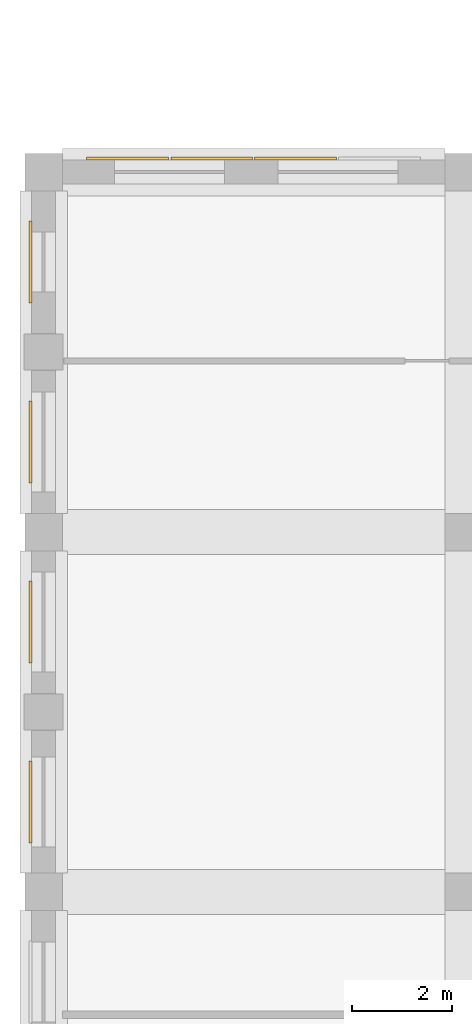
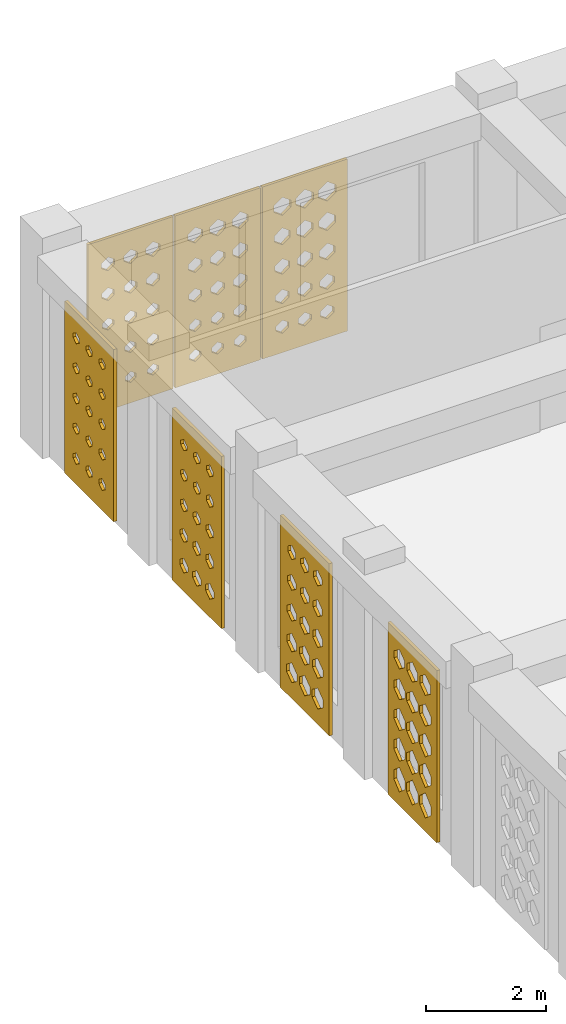
# One storey, part 94 of 111: 7 coverings.
"""IFC4 building model written with IfcOpenShell, lengths in metres."""

import ifcopenshell
import ifcopenshell.guid

model = None  # the IFC model being written
_history = None  # IfcOwnerHistory: only IFC2X3 demands one
_inside = {}  # id of a spatial element -> (the spatial element, [elements in it])
_under = {}  # id of a project, library or spatial element -> (it, [spatial elements below it])
_declared = {}  # id of a project -> (the project, [libraries it declares])
_typed = {}  # id of a type object -> (the type object, [elements of that type])
_made_of = {}  # id of a material, layer set ... -> (it, [elements and type objects made of it])


def new_model(schema):
    """Start an empty IFC model of exactly this schema.

    Asked for "IFC4X3", IfcOpenShell would pick the latest addendum, in which some entities
    have other attributes; the version numbers below select the first issue.
    IFC2X3 requires an IfcOwnerHistory on every rooted entity: one is made here for all.
    """
    global model, _history
    if schema == "IFC4X3":
        model = ifcopenshell.file(schema_version=(4, 3, 0, 0))
    else:
        model = ifcopenshell.file(schema=schema)
    _inside.clear()
    _under.clear()
    _declared.clear()
    _typed.clear()
    _made_of.clear()
    _history = None
    if model.schema == "IFC2X3":
        org = make("IfcOrganization", Name="unknown")
        user = make(
            "IfcPersonAndOrganization",
            ThePerson=make("IfcPerson", FamilyName="unknown"),
            TheOrganization=org,
        )
        app = make(
            "IfcApplication",
            ApplicationDeveloper=org,
            Version="unknown",
            ApplicationFullName="unknown",
            ApplicationIdentifier="unknown",
        )
        _history = make(
            "IfcOwnerHistory",
            OwningUser=user,
            OwningApplication=app,
            ChangeAction="ADDED",
            CreationDate=0,
        )
    return model


def make(cls, **values):
    """One entity of the class cls with the attributes given. An attribute that is None is left unset."""
    return model.create_entity(
        cls, **{name: value for name, value in values.items() if value is not None}
    )


def rooted(cls, **values):
    """An entity with a GlobalId (a new one), such as an element, a storey or a relation."""
    return make(cls, GlobalId=ifcopenshell.guid.new(), OwnerHistory=_history, **values)


def si_unit(unit_type, name, prefix=None):
    """IfcSIUnit, for example si_unit("LENGTHUNIT", "METRE", prefix="MILLI")."""
    return make("IfcSIUnit", UnitType=unit_type, Prefix=prefix, Name=name)


def derived_unit(unit_type, elements):
    """IfcDerivedUnit: a product of units, each with its exponent."""
    return make(
        "IfcDerivedUnit",
        Elements=[
            make("IfcDerivedUnitElement", Unit=unit, Exponent=power)
            for unit, power in elements
        ],
        UnitType=unit_type,
    )


def assignment(units):
    """IfcUnitAssignment: the units of a project."""
    return None if units is None else make("IfcUnitAssignment", Units=units)


def point(xyz):
    """IfcCartesianPoint."""
    return None if xyz is None else make("IfcCartesianPoint", Coordinates=xyz)


def direction(xyz):
    """IfcDirection."""
    return None if xyz is None else make("IfcDirection", DirectionRatios=xyz)


def frame(location, z_axis=None, x_axis=None):
    """IfcAxis2Placement3D, a coordinate frame: its origin and axes. An axis left out is left unset."""
    return make(
        "IfcAxis2Placement3D",
        Location=point(location),
        Axis=direction(z_axis),
        RefDirection=direction(x_axis),
    )


def origin():
    """The frame at (0, 0, 0) with its axes left unset."""
    return frame((0.0, 0.0, 0.0))


def place(relative_to, where):
    """IfcLocalPlacement: puts the frame where relative to a parent placement (None: the world)."""
    return make(
        "IfcLocalPlacement", PlacementRelTo=relative_to, RelativePlacement=where
    )


def context(
    kind, dimensions, precision=None, world=None, true_north=None, identifier=None
):
    """IfcGeometricRepresentationContext, for example the 3D "Model" context."""
    return make(
        "IfcGeometricRepresentationContext",
        ContextIdentifier=identifier,
        ContextType=kind,
        CoordinateSpaceDimension=dimensions,
        Precision=precision,
        WorldCoordinateSystem=world,
        TrueNorth=true_north,
    )


def subcontext(parent, identifier, kind, view, scale=None):
    """IfcGeometricRepresentationSubContext, for example "Body" below "Model"."""
    return make(
        "IfcGeometricRepresentationSubContext",
        ContextIdentifier=identifier,
        ContextType=kind,
        ParentContext=parent,
        TargetScale=scale,
        TargetView=view,
    )


def project(units=None, contexts=None):
    """IfcProject with its units and contexts."""
    return rooted(
        "IfcProject",
        Name="project",
        RepresentationContexts=contexts,
        UnitsInContext=assignment(units),
    )


def spatial(cls, under=None, at=None, **own):
    """A site, building, storey or space (cls), placed at a placement, below another one or the project."""
    s = rooted(cls, ObjectPlacement=at, **own)
    if under is not None:
        _under.setdefault(under.id(), (under, []))[1].append(s)
    return s


def polyline(points):
    """IfcPolyline through the points."""
    return make("IfcPolyline", Points=[point(p) for p in points])


def outline(outer, holes=None, kind="AREA"):
    """IfcArbitraryClosedProfileDef: a profile drawn as a closed curve; with holes, ...WithVoids."""
    if holes is None:
        return make("IfcArbitraryClosedProfileDef", ProfileType=kind, OuterCurve=outer)
    return make(
        "IfcArbitraryProfileDefWithVoids",
        ProfileType=kind,
        OuterCurve=outer,
        InnerCurves=holes,
    )


def extrude(swept, where, along, depth):
    """IfcExtrudedAreaSolid: the profile swept, set in the frame where, extruded along a direction by depth."""
    return make(
        "IfcExtrudedAreaSolid",
        SweptArea=swept,
        Position=where,
        ExtrudedDirection=direction(along),
        Depth=depth,
    )


def shape(context_of_items, identifier, shape_type, items):
    """IfcShapeRepresentation: the items that make up one representation, for example the "Body"."""
    return make(
        "IfcShapeRepresentation",
        ContextOfItems=context_of_items,
        RepresentationIdentifier=identifier,
        RepresentationType=shape_type,
        Items=items,
    )


def material(Name=None, Category=None):
    """IfcMaterial."""
    return make("IfcMaterial", Name=Name, Category=Category)


def layer(
    of_material, thickness, ventilated=None, Name=None, Category=None, Priority=None
):
    """IfcMaterialLayer: one layer of a wall or slab, of a material (None: an air gap)."""
    return make(
        "IfcMaterialLayer",
        Material=of_material,
        LayerThickness=thickness,
        IsVentilated=ventilated,
        Name=Name,
        Category=Category,
        Priority=Priority,
    )


def layer_set(layers, Name=None):
    """IfcMaterialLayerSet."""
    return make("IfcMaterialLayerSet", MaterialLayers=layers, LayerSetName=Name)


def made_of(thing, what):
    """Note that an element or type object is made of a material, layer set ...; save() writes the relation."""
    if what is not None:
        _made_of.setdefault(what.id(), (what, []))[1].append(thing)
    return thing


def type_object(cls, material=None, **own):
    """A type object (cls), such as IfcWallType, which elements share."""
    return made_of(rooted(cls, **own), material)


def element(
    cls,
    number,
    at=None,
    inside=None,
    cuts=None,
    type_object=None,
    material=None,
    context=None,
    identifier="Body",
    shape_type=None,
    held_by="IfcProductDefinitionShape",
    body=None,
    shapes=None,
    **own,
):
    """One element of the class cls, such as IfcWall. Its Tag is "e" and its number.

    at: its placement. inside: the storey or other place that contains it. cuts: it is an
    opening in that element (IfcRelVoidsElement). A single representation is given by context,
    identifier, shape_type and body (its items); several are given by shapes. held_by: the class
    of the entity that holds the representations. save() writes the other relations.
    """
    e = rooted(cls, Tag="e%d" % number, ObjectPlacement=at, **own)
    if body is not None:
        shapes = [shape(context, identifier, shape_type, body)]
    if shapes is not None:
        e.Representation = make(held_by, Representations=shapes)
    if inside is not None:
        _inside.setdefault(inside.id(), (inside, []))[1].append(e)
    if cuts is not None:
        rooted(
            "IfcRelVoidsElement", RelatingBuildingElement=cuts, RelatedOpeningElement=e
        )
    if type_object is not None:
        _typed.setdefault(type_object.id(), (type_object, []))[1].append(e)
    return made_of(e, material)


def aggregate(whole, parts):
    """IfcRelAggregates: a whole, such as a stair, and the parts it consists of."""
    return rooted("IfcRelAggregates", RelatingObject=whole, RelatedObjects=parts)


def save(model, path):
    """Write the relations noted so far, then the file.

    IfcRelAggregates (storeys below a building ...), IfcRelContainedInSpatialStructure (elements
    in a storey), IfcRelDefinesByType, IfcRelAssociatesMaterial and IfcRelDeclares: one each for
    every whole, place, type object, material and project.
    """
    for whole, parts in _under.values():
        aggregate(whole, parts)
    for where, things in _inside.values():
        rooted(
            "IfcRelContainedInSpatialStructure",
            RelatedElements=things,
            RelatingStructure=where,
        )
    for kind, things in _typed.values():
        rooted("IfcRelDefinesByType", RelatedObjects=things, RelatingType=kind)
    for what, things in _made_of.values():
        rooted("IfcRelAssociatesMaterial", RelatedObjects=things, RelatingMaterial=what)
    for by, libraries in _declared.values():
        rooted("IfcRelDeclares", RelatingContext=by, RelatedDefinitions=libraries)
    model.write(path)


model = new_model("IFC4")

# Units and contexts
model_context = context("Model", 3, precision=1e-05, world=origin(), true_north=direction((0.0, 1.0)))
body_context = subcontext(model_context, "Body", "Model", "MODEL_VIEW")
ifc_project = project(units=[si_unit("LENGTHUNIT", "METRE"), si_unit("AREAUNIT", "SQUARE_METRE"), si_unit("VOLUMEUNIT", "CUBIC_METRE"), si_unit("PLANEANGLEUNIT", "RADIAN"), si_unit("MASSUNIT", "GRAM", prefix="KILO"), derived_unit("THERMALTRANSMITTANCEUNIT", [(si_unit("POWERUNIT", "WATT"), 1), (si_unit("LENGTHUNIT", "METRE"), -2), (si_unit("THERMODYNAMICTEMPERATUREUNIT", "KELVIN"), -1)])], contexts=[model_context])

# Site, building, storey
site_placement = place(None, origin())
site = spatial("IfcSite", under=ifc_project, at=site_placement, CompositionType="ELEMENT")
building_placement = place(site_placement, origin())
building = spatial("IfcBuilding", under=site, at=building_placement, Name="Veybourne Emporium", CompositionType="ELEMENT")
storey_placement = place(building_placement, frame((0.0, 0.0, 9.89990234375)))
storey = spatial("IfcBuildingStorey", under=building, at=storey_placement, Name="L02", CompositionType="ELEMENT", Elevation=9.89990234375)

# Coverings
ifc_material = material(Name="Warm-White Perforated Aluminium Screen Alloy", Category="aluminium")
ifc_layer_1 = layer(ifc_material, 0.06005859375)
ifc_layer_set_1 = layer_set([ifc_layer_1], Name="Warm-White Perforated Aluminium Screen Alloy")
covering_type_1 = type_object("IfcCoveringType", Name="WaveScreen_SCR-01", PredefinedType="CLADDING", material=ifc_layer_set_1)
covering_1_placement = place(storey_placement, frame((-0.298095703125, 66.6025390625, 1.815185546875), z_axis=(1.0, 0.0, 0.0), x_axis=(0.0, 1.0, 0.0)))
element("IfcCovering", 1, at=covering_1_placement, inside=storey, type_object=covering_type_1, Name="L02 wave-perforated aluminium screen SCR-01 (9A.1)", PredefinedType="CLADDING", context=body_context, shape_type="SweptSolid", body=[
    extrude(outline(polyline([(-0.81982421875, -1.7548828125), (0.81982421875, -1.7548828125), (0.81982421875, 1.7548828125), (-0.81982421875, 1.7548828125), (-0.81982421875, -1.7548828125)]), holes=[polyline([(-0.433349609375, -0.970458984375), (-0.2470703125, -1.13525390625), (-0.2470703125, -1.32080078125), (-0.433349609375, -1.485595703125), (-0.61962890625, -1.32080078125), (-0.61962890625, -1.13525390625), (-0.433349609375, -0.970458984375)]), polyline([(-0.433349609375, -0.365966796875), (-0.2470703125, -0.524658203125), (-0.2470703125, -0.703369140625), (-0.433349609375, -0.862060546875), (-0.61962890625, -0.703369140625), (-0.61962890625, -0.524658203125), (-0.433349609375, -0.365966796875)]), polyline([(-0.433349609375, 0.23681640625), (-0.2470703125, 0.085205078125), (-0.2470703125, -0.085205078125), (-0.433349609375, -0.23681640625), (-0.61962890625, -0.085205078125), (-0.61962890625, 0.085205078125), (-0.433349609375, 0.23681640625)]), polyline([(-0.433349609375, 0.838134765625), (-0.2470703125, 0.694580078125), (-0.2470703125, 0.533203125), (-0.433349609375, 0.389892578125), (-0.61962890625, 0.533203125), (-0.61962890625, 0.694580078125), (-0.433349609375, 0.838134765625)]), polyline([(-0.433349609375, 1.438720703125), (-0.2509765625, 1.3037109375), (-0.2509765625, 1.152099609375), (-0.433349609375, 1.017333984375), (-0.61572265625, 1.152099609375), (-0.61572265625, 1.3037109375), (-0.433349609375, 1.438720703125)]), polyline([(0.0, -0.974609375), (0.186279296875, -1.13671875), (0.186279296875, -1.319091796875), (0.0, -1.4814453125), (-0.186279296875, -1.319091796875), (-0.186279296875, -1.13671875), (0.0, -0.974609375)]), polyline([(0.0, -0.37109375), (0.186279296875, -0.526611328125), (0.186279296875, -0.701416015625), (0.0, -0.85693359375), (-0.186279296875, -0.701416015625), (-0.186279296875, -0.526611328125), (0.0, -0.37109375)]), polyline([(0.0, 0.231201171875), (0.186279296875, 0.083251953125), (0.186279296875, -0.083251953125), (0.0, -0.231201171875), (-0.186279296875, -0.083251953125), (-0.186279296875, 0.083251953125), (0.0, 0.231201171875)]), polyline([(0.0, 0.83203125), (0.186279296875, 0.6923828125), (0.186279296875, 0.535400390625), (0.0, 0.39599609375), (-0.186279296875, 0.535400390625), (-0.186279296875, 0.6923828125), (0.0, 0.83203125)]), polyline([(0.0, 1.432373046875), (0.17724609375, 1.301513671875), (0.17724609375, 1.154296875), (0.0, 1.023681640625), (-0.17724609375, 1.154296875), (-0.17724609375, 1.301513671875), (0.0, 1.432373046875)]), polyline([(0.433349609375, -0.97900390625), (0.61962890625, -1.138427734375), (0.61962890625, -1.317626953125), (0.433349609375, -1.476806640625), (0.2470703125, -1.317626953125), (0.2470703125, -1.138427734375), (0.433349609375, -0.97900390625)]), polyline([(0.433349609375, -0.376220703125), (0.61962890625, -0.5283203125), (0.61962890625, -0.69970703125), (0.433349609375, -0.851806640625), (0.2470703125, -0.69970703125), (0.2470703125, -0.5283203125), (0.433349609375, -0.376220703125)]), polyline([(0.433349609375, 0.225341796875), (0.61962890625, 0.0810546875), (0.61962890625, -0.0810546875), (0.433349609375, -0.225341796875), (0.2470703125, -0.0810546875), (0.2470703125, 0.0810546875), (0.433349609375, 0.225341796875)]), polyline([(0.433349609375, 0.825927734375), (0.61669921875, 0.690185546875), (0.61669921875, 0.53759765625), (0.433349609375, 0.402099609375), (0.25, 0.53759765625), (0.25, 0.690185546875), (0.433349609375, 0.825927734375)]), polyline([(0.433349609375, 1.42578125), (0.605224609375, 1.29931640625), (0.605224609375, 1.15673828125), (0.433349609375, 1.030029296875), (0.261474609375, 1.15673828125), (0.261474609375, 1.29931640625), (0.433349609375, 1.42578125)])]), origin(), (0.0, 0.0, 1.0), 0.06005859375),
])
covering_2_placement = place(storey_placement, frame((-0.298095703125, 70.197509765625, 1.815185546875), z_axis=(1.0, 0.0, 0.0), x_axis=(0.0, 1.0, 0.0)))
element("IfcCovering", 2, at=covering_2_placement, inside=storey, type_object=covering_type_1, Name="L02 wave-perforated aluminium screen SCR-01 (9B.1)", PredefinedType="CLADDING", context=body_context, shape_type="SweptSolid", body=[
    extrude(outline(polyline([(-0.81982421875, -1.7548828125), (0.81982421875, -1.7548828125), (0.81982421875, 1.7548828125), (-0.81982421875, 1.7548828125), (-0.81982421875, -1.7548828125)]), holes=[polyline([(-0.433349609375, -1.01416015625), (-0.248291015625, -1.15087890625), (-0.248291015625, -1.304931640625), (-0.433349609375, -1.44189453125), (-0.618408203125, -1.304931640625), (-0.618408203125, -1.15087890625), (-0.433349609375, -1.01416015625)]), polyline([(-0.433349609375, -0.4140625), (-0.259765625, -0.5419921875), (-0.259765625, -0.68603515625), (-0.433349609375, -0.81396484375), (-0.60693359375, -0.68603515625), (-0.60693359375, -0.5419921875), (-0.433349609375, -0.4140625)]), polyline([(-0.433349609375, 0.185791015625), (-0.271240234375, 0.06689453125), (-0.271240234375, -0.06689453125), (-0.433349609375, -0.185791015625), (-0.59521484375, -0.06689453125), (-0.59521484375, 0.06689453125), (-0.433349609375, 0.185791015625)]), polyline([(-0.433349609375, 0.785888671875), (-0.28271484375, 0.67578125), (-0.28271484375, 0.552001953125), (-0.433349609375, 0.442138671875), (-0.583984375, 0.552001953125), (-0.583984375, 0.67578125), (-0.433349609375, 0.785888671875)]), polyline([(-0.433349609375, 1.386474609375), (-0.293701171875, 1.284912109375), (-0.293701171875, 1.1708984375), (-0.433349609375, 1.069580078125), (-0.572998046875, 1.1708984375), (-0.572998046875, 1.284912109375), (-0.433349609375, 1.386474609375)]), polyline([(0.0, -1.0205078125), (0.179931640625, -1.1533203125), (0.179931640625, -1.302734375), (0.0, -1.435546875), (-0.179931640625, -1.302734375), (-0.179931640625, -1.1533203125), (0.0, -1.0205078125)]), polyline([(0.0, -0.42041015625), (0.168212890625, -0.544189453125), (0.168212890625, -0.68359375), (0.0, -0.8076171875), (-0.168212890625, -0.68359375), (-0.168212890625, -0.544189453125), (0.0, -0.42041015625)]), polyline([(0.0, 0.179443359375), (0.15673828125, 0.064697265625), (0.15673828125, -0.064697265625), (0.0, -0.179443359375), (-0.15673828125, -0.064697265625), (-0.15673828125, 0.064697265625), (0.0, 0.179443359375)]), polyline([(0.0, 0.77978515625), (0.1455078125, 0.673583984375), (0.1455078125, 0.554443359375), (0.0, 0.4482421875), (-0.1455078125, 0.554443359375), (-0.1455078125, 0.673583984375), (0.0, 0.77978515625)]), polyline([(0.0, 1.380615234375), (0.135009765625, 1.282958984375), (0.135009765625, 1.173095703125), (0.0, 1.0751953125), (-0.135009765625, 1.173095703125), (-0.135009765625, 1.282958984375), (0.0, 1.380615234375)]), polyline([(0.433349609375, -1.026611328125), (0.60791015625, -1.155517578125), (0.60791015625, -1.300537109375), (0.433349609375, -1.42919921875), (0.2587890625, -1.300537109375), (0.2587890625, -1.155517578125), (0.433349609375, -1.026611328125)]), polyline([(0.433349609375, -0.427001953125), (0.596435546875, -0.546630859375), (0.596435546875, -0.681396484375), (0.433349609375, -0.801025390625), (0.270263671875, -0.681396484375), (0.270263671875, -0.546630859375), (0.433349609375, -0.427001953125)]), polyline([(0.433349609375, 0.173095703125), (0.5849609375, 0.062255859375), (0.5849609375, -0.062255859375), (0.433349609375, -0.173095703125), (0.28173828125, -0.062255859375), (0.28173828125, 0.062255859375), (0.433349609375, 0.173095703125)]), polyline([(0.433349609375, 0.773681640625), (0.573974609375, 0.67138671875), (0.573974609375, 0.556396484375), (0.433349609375, 0.454345703125), (0.292724609375, 0.556396484375), (0.292724609375, 0.67138671875), (0.433349609375, 0.773681640625)]), polyline([(0.433349609375, 1.375244140625), (0.563720703125, 1.281005859375), (0.563720703125, 1.175048828125), (0.433349609375, 1.080810546875), (0.302978515625, 1.175048828125), (0.302978515625, 1.281005859375), (0.433349609375, 1.375244140625)])]), origin(), (0.0, 0.0, 1.0), 0.06005859375),
])
ifc_layer_2 = layer(ifc_material, 0.06005859375)
ifc_layer_set_2 = layer_set([ifc_layer_2], Name="Warm-White Perforated Aluminium Screen Alloy")
covering_type_2 = type_object("IfcCoveringType", Name="WaveScreen_SCR-02", PredefinedType="CLADDING", material=ifc_layer_set_2)
covering_3_placement = place(storey_placement, frame((1.679931640625, 79.498046875, 1.815185546875), z_axis=(0.0, -1.0, 0.0), x_axis=(1.0, 0.0, 0.0)))
element("IfcCovering", 3, at=covering_3_placement, inside=storey, type_object=covering_type_2, Name="L02 wave-perforated aluminium screen SCR-02 (10.1)", PredefinedType="CLADDING", context=body_context, shape_type="SweptSolid", body=[
    extrude(outline(polyline([(-0.81982421875, -1.7548828125), (0.81982421875, -1.7548828125), (0.81982421875, 1.7548828125), (-0.81982421875, 1.7548828125), (-0.81982421875, -1.7548828125)]), holes=[polyline([(-0.433349609375, -1.11669921875), (-0.332275390625, -1.18798828125), (-0.332275390625, -1.26806640625), (-0.433349609375, -1.33935546875), (-0.534423828125, -1.26806640625), (-0.534423828125, -1.18798828125), (-0.433349609375, -1.11669921875)]), polyline([(-0.433349609375, -0.498779296875), (-0.3291015625, -0.572509765625), (-0.3291015625, -0.655517578125), (-0.433349609375, -0.729248046875), (-0.53759765625, -0.655517578125), (-0.53759765625, -0.572509765625), (-0.433349609375, -0.498779296875)]), polyline([(-0.433349609375, 0.121337890625), (-0.32421875, 0.043701171875), (-0.32421875, -0.043701171875), (-0.433349609375, -0.121337890625), (-0.54248046875, -0.043701171875), (-0.54248046875, 0.043701171875), (-0.433349609375, 0.121337890625)]), polyline([(-0.433349609375, 0.743408203125), (-0.3173828125, 0.66064453125), (-0.3173828125, 0.5673828125), (-0.433349609375, 0.484619140625), (-0.54931640625, 0.5673828125), (-0.54931640625, 0.66064453125), (-0.433349609375, 0.743408203125)]), polyline([(-0.433349609375, 1.367431640625), (-0.30908203125, 1.2783203125), (-0.30908203125, 1.177734375), (-0.433349609375, 1.08837890625), (-0.5576171875, 1.177734375), (-0.5576171875, 1.2783203125), (-0.433349609375, 1.367431640625)]), polyline([(0.0, -1.114990234375), (0.102294921875, -1.1875), (0.102294921875, -1.2685546875), (0.0, -1.3408203125), (-0.102294921875, -1.2685546875), (-0.102294921875, -1.1875), (0.0, -1.114990234375)]), polyline([(0.0, -0.496337890625), (0.106201171875, -0.571533203125), (0.106201171875, -0.656494140625), (0.0, -0.731689453125), (-0.106201171875, -0.656494140625), (-0.106201171875, -0.571533203125), (0.0, -0.496337890625)]), polyline([(0.0, 0.124755859375), (0.112060546875, 0.044921875), (0.112060546875, -0.044921875), (0.0, -0.124755859375), (-0.112060546875, -0.044921875), (-0.112060546875, 0.044921875), (0.0, 0.124755859375)]), polyline([(0.0, 0.747802734375), (0.119384765625, 0.662109375), (0.119384765625, 0.56591796875), (0.0, 0.480224609375), (-0.119384765625, 0.56591796875), (-0.119384765625, 0.662109375), (0.0, 0.747802734375)]), polyline([(0.0, 1.37255859375), (0.12841796875, 1.280029296875), (0.12841796875, 1.17578125), (0.0, 1.08349609375), (-0.12841796875, 1.17578125), (-0.12841796875, 1.280029296875), (0.0, 1.37255859375)]), polyline([(0.433349609375, -1.11328125), (0.537109375, -1.186767578125), (0.537109375, -1.269287109375), (0.433349609375, -1.3427734375), (0.329345703125, -1.269287109375), (0.329345703125, -1.186767578125), (0.433349609375, -1.11328125)]), polyline([(0.433349609375, -0.493408203125), (0.5419921875, -0.570556640625), (0.5419921875, -0.657470703125), (0.433349609375, -0.734619140625), (0.32470703125, -0.657470703125), (0.32470703125, -0.570556640625), (0.433349609375, -0.493408203125)]), polyline([(0.433349609375, 0.128662109375), (0.548583984375, 0.04638671875), (0.548583984375, -0.04638671875), (0.433349609375, -0.128662109375), (0.318115234375, -0.04638671875), (0.318115234375, 0.04638671875), (0.433349609375, 0.128662109375)]), polyline([(0.433349609375, 0.75244140625), (0.556640625, 0.663818359375), (0.556640625, 0.564208984375), (0.433349609375, 0.4755859375), (0.31005859375, 0.564208984375), (0.31005859375, 0.663818359375), (0.433349609375, 0.75244140625)]), polyline([(0.433349609375, 1.3779296875), (0.566162109375, 1.281982421875), (0.566162109375, 1.174072265625), (0.433349609375, 1.077880859375), (0.300537109375, 1.174072265625), (0.300537109375, 1.281982421875), (0.433349609375, 1.3779296875)])]), origin(), (0.0, 0.0, 1.0), 0.06005859375),
])
ifc_layer_3 = layer(ifc_material, 0.06005859375)
ifc_layer_set_3 = layer_set([ifc_layer_3], Name="Warm-White Perforated Aluminium Screen Alloy")
covering_type_3 = type_object("IfcCoveringType", Name="WaveScreen_SCR-03", PredefinedType="CLADDING", material=ifc_layer_set_3)
covering_4_placement = place(storey_placement, frame((3.360107421875, 79.498046875, 1.815185546875), z_axis=(0.0, -1.0, 0.0), x_axis=(1.0, 0.0, 0.0)))
element("IfcCovering", 4, at=covering_4_placement, inside=storey, type_object=covering_type_3, Name="L02 wave-perforated aluminium screen SCR-03 (10.2)", PredefinedType="CLADDING", context=body_context, shape_type="SweptSolid", body=[
    extrude(outline(polyline([(-0.81982421875, -1.7548828125), (0.81982421875, -1.7548828125), (0.81982421875, 1.7548828125), (-0.81982421875, 1.7548828125), (-0.81982421875, -1.7548828125)]), holes=[polyline([(-0.433349609375, -1.1083984375), (-0.325439453125, -1.184814453125), (-0.325439453125, -1.27099609375), (-0.433349609375, -1.34765625), (-0.541259765625, -1.27099609375), (-0.541259765625, -1.184814453125), (-0.433349609375, -1.1083984375)]), polyline([(-0.433349609375, -0.486572265625), (-0.319091796875, -0.568115234375), (-0.319091796875, -0.659912109375), (-0.433349609375, -0.741455078125), (-0.547607421875, -0.659912109375), (-0.547607421875, -0.568115234375), (-0.433349609375, -0.486572265625)]), polyline([(-0.433349609375, 0.136962890625), (-0.311279296875, 0.04931640625), (-0.311279296875, -0.04931640625), (-0.433349609375, -0.136962890625), (-0.555419921875, -0.04931640625), (-0.555419921875, 0.04931640625), (-0.433349609375, 0.136962890625)]), polyline([(-0.433349609375, 0.76220703125), (-0.302001953125, 0.66748046875), (-0.302001953125, 0.560546875), (-0.433349609375, 0.4658203125), (-0.564697265625, 0.560546875), (-0.564697265625, 0.66748046875), (-0.433349609375, 0.76220703125)]), polyline([(-0.433349609375, 1.388916015625), (-0.291748046875, 1.285888671875), (-0.291748046875, 1.170166015625), (-0.433349609375, 1.067138671875), (-0.574951171875, 1.170166015625), (-0.574951171875, 1.285888671875), (-0.433349609375, 1.388916015625)]), polyline([(0.0, -1.10498046875), (0.110595703125, -1.183837890625), (0.110595703125, -1.272216796875), (0.0, -1.350830078125), (-0.110595703125, -1.272216796875), (-0.110595703125, -1.183837890625), (0.0, -1.10498046875)]), polyline([(0.0, -0.482421875), (0.11767578125, -0.566650390625), (0.11767578125, -0.661376953125), (0.0, -0.74560546875), (-0.11767578125, -0.661376953125), (-0.11767578125, -0.566650390625), (0.0, -0.482421875)]), polyline([(0.0, 0.141845703125), (0.126220703125, 0.051025390625), (0.126220703125, -0.051025390625), (0.0, -0.141845703125), (-0.126220703125, -0.051025390625), (-0.126220703125, 0.051025390625), (0.0, 0.141845703125)]), polyline([(0.0, 0.767822265625), (0.1357421875, 0.66943359375), (0.1357421875, 0.55859375), (0.0, 0.460205078125), (-0.1357421875, 0.55859375), (-0.1357421875, 0.66943359375), (0.0, 0.767822265625)]), polyline([(0.0, 1.394775390625), (0.146484375, 1.2880859375), (0.146484375, 1.16796875), (0.0, 1.061279296875), (-0.146484375, 1.16796875), (-0.146484375, 1.2880859375), (0.0, 1.394775390625)]), polyline([(0.433349609375, -1.101318359375), (0.546875, -1.182373046875), (0.546875, -1.273681640625), (0.433349609375, -1.3544921875), (0.31982421875, -1.273681640625), (0.31982421875, -1.182373046875), (0.433349609375, -1.101318359375)]), polyline([(0.433349609375, -0.47802734375), (0.5546875, -0.56494140625), (0.5546875, -0.6630859375), (0.433349609375, -0.75), (0.31201171875, -0.6630859375), (0.31201171875, -0.56494140625), (0.433349609375, -0.47802734375)]), polyline([(0.433349609375, 0.147216796875), (0.563720703125, 0.052978515625), (0.563720703125, -0.052978515625), (0.433349609375, -0.147216796875), (0.302978515625, -0.052978515625), (0.302978515625, 0.052978515625), (0.433349609375, 0.147216796875)]), polyline([(0.433349609375, 0.773681640625), (0.573974609375, 0.67138671875), (0.573974609375, 0.556396484375), (0.433349609375, 0.454345703125), (0.292724609375, 0.556396484375), (0.292724609375, 0.67138671875), (0.433349609375, 0.773681640625)]), polyline([(0.433349609375, 1.40087890625), (0.5849609375, 1.290283203125), (0.5849609375, 1.165771484375), (0.433349609375, 1.054931640625), (0.28173828125, 1.165771484375), (0.28173828125, 1.290283203125), (0.433349609375, 1.40087890625)])]), origin(), (0.0, 0.0, 1.0), 0.06005859375),
])
covering_5_placement = place(storey_placement, frame((-0.298095703125, 73.802490234375, 1.815185546875), z_axis=(1.0, 0.0, 0.0), x_axis=(0.0, 1.0, 0.0)))
element("IfcCovering", 5, at=covering_5_placement, inside=storey, type_object=covering_type_3, Name="L02 wave-perforated aluminium screen SCR-03 (11A.1)", PredefinedType="CLADDING", context=body_context, shape_type="SweptSolid", body=[
    extrude(outline(polyline([(-0.81982421875, -1.7548828125), (0.81982421875, -1.7548828125), (0.81982421875, 1.7548828125), (-0.81982421875, 1.7548828125), (-0.81982421875, -1.7548828125)]), holes=[polyline([(-0.433349609375, -1.066650390625), (-0.291259765625, -1.169921875), (-0.291259765625, -1.2861328125), (-0.433349609375, -1.389404296875), (-0.575439453125, -1.2861328125), (-0.575439453125, -1.169921875), (-0.433349609375, -1.066650390625)]), polyline([(-0.433349609375, -0.465087890625), (-0.301513671875, -0.560302734375), (-0.301513671875, -0.66748046875), (-0.433349609375, -0.7626953125), (-0.565185546875, -0.66748046875), (-0.565185546875, -0.560302734375), (-0.433349609375, -0.465087890625)]), polyline([(-0.433349609375, 0.137451171875), (-0.310791015625, 0.049560546875), (-0.310791015625, -0.049560546875), (-0.433349609375, -0.137451171875), (-0.555908203125, -0.049560546875), (-0.555908203125, 0.049560546875), (-0.433349609375, 0.137451171875)]), polyline([(-0.433349609375, 0.74169921875), (-0.31884765625, 0.659912109375), (-0.31884765625, 0.568115234375), (-0.433349609375, 0.486083984375), (-0.5478515625, 0.568115234375), (-0.5478515625, 0.659912109375), (-0.433349609375, 0.74169921875)]), polyline([(-0.433349609375, 1.347900390625), (-0.3251953125, 1.271240234375), (-0.3251953125, 1.184814453125), (-0.433349609375, 1.10791015625), (-0.54150390625, 1.184814453125), (-0.54150390625, 1.271240234375), (-0.433349609375, 1.347900390625)]), polyline([(0.0, -1.072509765625), (0.13720703125, -1.172119140625), (0.13720703125, -1.283935546875), (0.0, -1.383544921875), (-0.13720703125, -1.283935546875), (-0.13720703125, -1.172119140625), (0.0, -1.072509765625)]), polyline([(0.0, -0.470458984375), (0.12744140625, -0.5625), (0.12744140625, -0.66552734375), (0.0, -0.757568359375), (-0.12744140625, -0.66552734375), (-0.12744140625, -0.5625), (0.0, -0.470458984375)]), polyline([(0.0, 0.1328125), (0.11865234375, 0.0478515625), (0.11865234375, -0.0478515625), (0.0, -0.1328125), (-0.11865234375, -0.0478515625), (-0.11865234375, 0.0478515625), (0.0, 0.1328125)]), polyline([(0.0, 0.738037109375), (0.111328125, 0.65869140625), (0.111328125, 0.5693359375), (0.0, 0.489990234375), (-0.111328125, 0.5693359375), (-0.111328125, 0.65869140625), (0.0, 0.738037109375)]), polyline([(0.0, 1.34521484375), (0.105712890625, 1.270263671875), (0.105712890625, 1.185791015625), (0.0, 1.11083984375), (-0.105712890625, 1.185791015625), (-0.105712890625, 1.270263671875), (0.0, 1.34521484375)]), polyline([(0.433349609375, -1.078125), (0.56591796875, -1.174072265625), (0.56591796875, -1.281982421875), (0.433349609375, -1.3779296875), (0.30078125, -1.281982421875), (0.30078125, -1.174072265625), (0.433349609375, -1.078125)]), polyline([(0.433349609375, -0.4755859375), (0.556640625, -0.564208984375), (0.556640625, -0.663818359375), (0.433349609375, -0.75244140625), (0.31005859375, -0.663818359375), (0.31005859375, -0.564208984375), (0.433349609375, -0.4755859375)]), polyline([(0.433349609375, 0.128662109375), (0.548583984375, 0.04638671875), (0.548583984375, -0.04638671875), (0.433349609375, -0.128662109375), (0.318115234375, -0.04638671875), (0.318115234375, 0.04638671875), (0.433349609375, 0.128662109375)]), polyline([(0.433349609375, 0.734619140625), (0.5419921875, 0.657470703125), (0.5419921875, 0.570556640625), (0.433349609375, 0.493408203125), (0.32470703125, 0.570556640625), (0.32470703125, 0.657470703125), (0.433349609375, 0.734619140625)]), polyline([(0.433349609375, 1.3427734375), (0.537109375, 1.269287109375), (0.537109375, 1.186767578125), (0.433349609375, 1.11328125), (0.32958984375, 1.186767578125), (0.32958984375, 1.269287109375), (0.433349609375, 1.3427734375)])]), origin(), (0.0, 0.0, 1.0), 0.06005859375),
])
covering_6_placement = place(storey_placement, frame((-0.298095703125, 77.3974609375, 1.815185546875), z_axis=(1.0, 0.0, 0.0), x_axis=(0.0, 1.0, 0.0)))
element("IfcCovering", 6, at=covering_6_placement, inside=storey, type_object=covering_type_3, Name="L02 wave-perforated aluminium screen SCR-03 (11B.1)", PredefinedType="CLADDING", context=body_context, shape_type="SweptSolid", body=[
    extrude(outline(polyline([(-0.81982421875, -1.7548828125), (0.81982421875, -1.7548828125), (0.81982421875, 1.7548828125), (-0.81982421875, 1.7548828125), (-0.81982421875, -1.7548828125)]), holes=[polyline([(-0.433349609375, -1.1064453125), (-0.32373046875, -1.18408203125), (-0.32373046875, -1.271728515625), (-0.433349609375, -1.349609375), (-0.542724609375, -1.271728515625), (-0.542724609375, -1.18408203125), (-0.433349609375, -1.1064453125)]), polyline([(-0.433349609375, -0.49853515625), (-0.328857421875, -0.572509765625), (-0.328857421875, -0.655517578125), (-0.433349609375, -0.7294921875), (-0.537841796875, -0.655517578125), (-0.537841796875, -0.572509765625), (-0.433349609375, -0.49853515625)]), polyline([(-0.433349609375, 0.111572265625), (-0.33203125, 0.040283203125), (-0.33203125, -0.040283203125), (-0.433349609375, -0.111572265625), (-0.53466796875, -0.040283203125), (-0.53466796875, 0.040283203125), (-0.433349609375, 0.111572265625)]), polyline([(-0.433349609375, 0.72412109375), (-0.333251953125, 0.653564453125), (-0.333251953125, 0.574462890625), (-0.433349609375, 0.50390625), (-0.533203125, 0.574462890625), (-0.533203125, 0.653564453125), (-0.433349609375, 0.72412109375)]), polyline([(-0.433349609375, 1.3388671875), (-0.33251953125, 1.267822265625), (-0.33251953125, 1.18798828125), (-0.433349609375, 1.1171875), (-0.5341796875, 1.18798828125), (-0.5341796875, 1.267822265625), (-0.433349609375, 1.3388671875)]), polyline([(0.0, -1.109619140625), (0.10693359375, -1.185302734375), (0.10693359375, -1.270751953125), (0.0, -1.346435546875), (-0.10693359375, -1.270751953125), (-0.10693359375, -1.185302734375), (0.0, -1.109619140625)]), polyline([(0.0, -0.50048828125), (0.102783203125, -0.5732421875), (0.102783203125, -0.65478515625), (0.0, -0.727294921875), (-0.102783203125, -0.65478515625), (-0.102783203125, -0.5732421875), (0.0, -0.50048828125)]), polyline([(0.0, 0.110595703125), (0.100341796875, 0.039794921875), (0.100341796875, -0.039794921875), (0.0, -0.110595703125), (-0.100341796875, -0.039794921875), (-0.100341796875, 0.039794921875), (0.0, 0.110595703125)]), polyline([(0.0, 0.72412109375), (0.10009765625, 0.653564453125), (0.10009765625, 0.574462890625), (0.0, 0.50390625), (-0.10009765625, 0.574462890625), (-0.10009765625, 0.653564453125), (0.0, 0.72412109375)]), polyline([(0.0, 1.340087890625), (0.101806640625, 1.268310546875), (0.101806640625, 1.1875), (0.0, 1.115966796875), (-0.101806640625, 1.1875), (-0.101806640625, 1.268310546875), (0.0, 1.340087890625)]), polyline([(0.433349609375, -1.112060546875), (0.5380859375, -1.186279296875), (0.5380859375, -1.269775390625), (0.433349609375, -1.343994140625), (0.32861328125, -1.269775390625), (0.32861328125, -1.186279296875), (0.433349609375, -1.112060546875)]), polyline([(0.433349609375, -0.502197265625), (0.534912109375, -0.57373046875), (0.534912109375, -0.654296875), (0.433349609375, -0.725830078125), (0.331787109375, -0.654296875), (0.331787109375, -0.57373046875), (0.433349609375, -0.502197265625)]), polyline([(0.433349609375, 0.110107421875), (0.533447265625, 0.03955078125), (0.533447265625, -0.03955078125), (0.433349609375, -0.110107421875), (0.333251953125, -0.03955078125), (0.333251953125, 0.03955078125), (0.433349609375, 0.110107421875)]), polyline([(0.433349609375, 0.724609375), (0.533935546875, 0.65380859375), (0.533935546875, 0.57421875), (0.433349609375, 0.50341796875), (0.332763671875, 0.57421875), (0.332763671875, 0.65380859375), (0.433349609375, 0.724609375)]), polyline([(0.433349609375, 1.341796875), (0.53662109375, 1.26904296875), (0.53662109375, 1.18701171875), (0.433349609375, 1.1142578125), (0.330078125, 1.18701171875), (0.330078125, 1.26904296875), (0.433349609375, 1.341796875)])]), origin(), (0.0, 0.0, 1.0), 0.06005859375),
])
ifc_layer_4 = layer(ifc_material, 0.06005859375)
ifc_layer_set_4 = layer_set([ifc_layer_4], Name="Warm-White Perforated Aluminium Screen Alloy")
covering_type_4 = type_object("IfcCoveringType", Name="WaveScreen_SCR-04", PredefinedType="CLADDING", material=ifc_layer_set_4)
covering_7_placement = place(storey_placement, frame((5.0400390625, 79.498046875, 1.815185546875), z_axis=(0.0, -1.0, 0.0), x_axis=(1.0, 0.0, 0.0)))
element("IfcCovering", 7, at=covering_7_placement, inside=storey, type_object=covering_type_4, Name="L02 wave-perforated aluminium screen SCR-04 (10.3)", PredefinedType="CLADDING", context=body_context, shape_type="SweptSolid", body=[
    extrude(outline(polyline([(-0.81982421875, -1.7548828125), (0.81982421875, -1.7548828125), (0.81982421875, 1.7548828125), (-0.81982421875, 1.7548828125), (-0.81982421875, -1.7548828125)]), holes=[polyline([(-0.433349609375, -1.093505859375), (-0.313232421875, -1.1796875), (-0.313232421875, -1.2763671875), (-0.433349609375, -1.362548828125), (-0.553466796875, -1.2763671875), (-0.553466796875, -1.1796875), (-0.433349609375, -1.093505859375)]), polyline([(-0.433349609375, -0.468505859375), (-0.304443359375, -0.561767578125), (-0.304443359375, -0.666259765625), (-0.433349609375, -0.759521484375), (-0.562255859375, -0.666259765625), (-0.562255859375, -0.561767578125), (-0.433349609375, -0.468505859375)]), polyline([(-0.433349609375, 0.15771484375), (-0.294189453125, 0.056884765625), (-0.294189453125, -0.056884765625), (-0.433349609375, -0.15771484375), (-0.572265625, -0.056884765625), (-0.572265625, 0.056884765625), (-0.433349609375, 0.15771484375)]), polyline([(-0.433349609375, 0.784912109375), (-0.283447265625, 0.675537109375), (-0.283447265625, 0.552490234375), (-0.433349609375, 0.443115234375), (-0.583251953125, 0.552490234375), (-0.583251953125, 0.675537109375), (-0.433349609375, 0.784912109375)]), polyline([(-0.433349609375, 1.412841796875), (-0.27197265625, 1.294677734375), (-0.27197265625, 1.161376953125), (-0.433349609375, 1.043212890625), (-0.594482421875, 1.161376953125), (-0.594482421875, 1.294677734375), (-0.433349609375, 1.412841796875)]), polyline([(0.0, -1.0888671875), (0.123779296875, -1.177978515625), (0.123779296875, -1.278076171875), (0.0, -1.3671875), (-0.123779296875, -1.278076171875), (-0.123779296875, -1.177978515625), (0.0, -1.0888671875)]), polyline([(0.0, -0.463134765625), (0.13330078125, -0.559814453125), (0.13330078125, -0.668212890625), (0.0, -0.764892578125), (-0.13330078125, -0.668212890625), (-0.13330078125, -0.559814453125), (0.0, -0.463134765625)]), polyline([(0.0, 0.16357421875), (0.143798828125, 0.058837890625), (0.143798828125, -0.058837890625), (0.0, -0.16357421875), (-0.143798828125, -0.058837890625), (-0.143798828125, 0.058837890625), (0.0, 0.16357421875)]), polyline([(0.0, 0.791259765625), (0.155029296875, 0.677734375), (0.155029296875, 0.55029296875), (0.0, 0.436767578125), (-0.155029296875, 0.55029296875), (-0.155029296875, 0.677734375), (0.0, 0.791259765625)]), polyline([(0.0, 1.419189453125), (0.16650390625, 1.296875), (0.16650390625, 1.1591796875), (0.0, 1.03662109375), (-0.16650390625, 1.1591796875), (-0.16650390625, 1.296875), (0.0, 1.419189453125)]), polyline([(0.433349609375, -1.083740234375), (0.561279296875, -1.176025390625), (0.561279296875, -1.280029296875), (0.433349609375, -1.372314453125), (0.305419921875, -1.280029296875), (0.305419921875, -1.176025390625), (0.433349609375, -1.083740234375)]), polyline([(0.433349609375, -0.45751953125), (0.5712890625, -0.5576171875), (0.5712890625, -0.67041015625), (0.433349609375, -0.7705078125), (0.29541015625, -0.67041015625), (0.29541015625, -0.5576171875), (0.433349609375, -0.45751953125)]), polyline([(0.433349609375, 0.169677734375), (0.582275390625, 0.06103515625), (0.582275390625, -0.06103515625), (0.433349609375, -0.169677734375), (0.284423828125, -0.06103515625), (0.284423828125, 0.06103515625), (0.433349609375, 0.169677734375)]), polyline([(0.433349609375, 0.797607421875), (0.593505859375, 0.68017578125), (0.593505859375, 0.5478515625), (0.433349609375, 0.430419921875), (0.273193359375, 0.5478515625), (0.273193359375, 0.68017578125), (0.433349609375, 0.797607421875)]), polyline([(0.433349609375, 1.42578125), (0.60498046875, 1.29931640625), (0.60498046875, 1.15673828125), (0.433349609375, 1.0302734375), (0.261474609375, 1.15673828125), (0.261474609375, 1.29931640625), (0.433349609375, 1.42578125)])]), origin(), (0.0, 0.0, 1.0), 0.06005859375),
])

save(model, "model.ifc")
